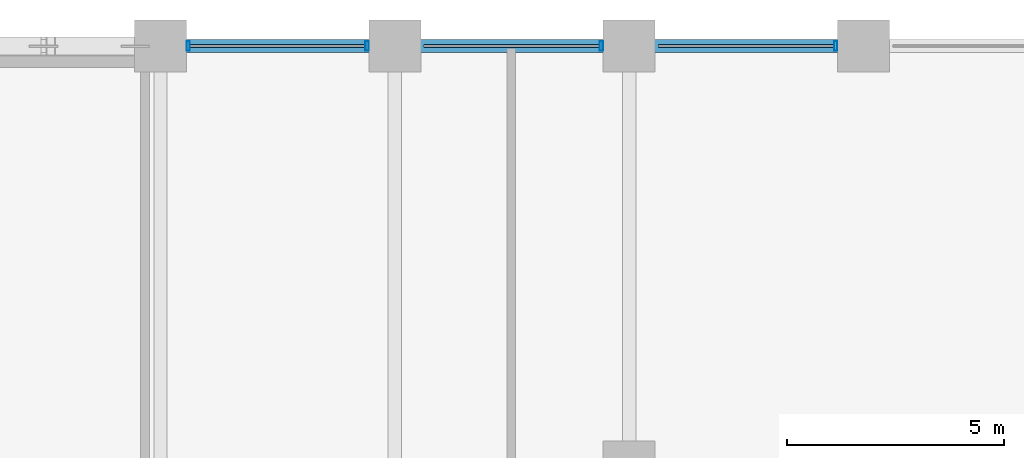
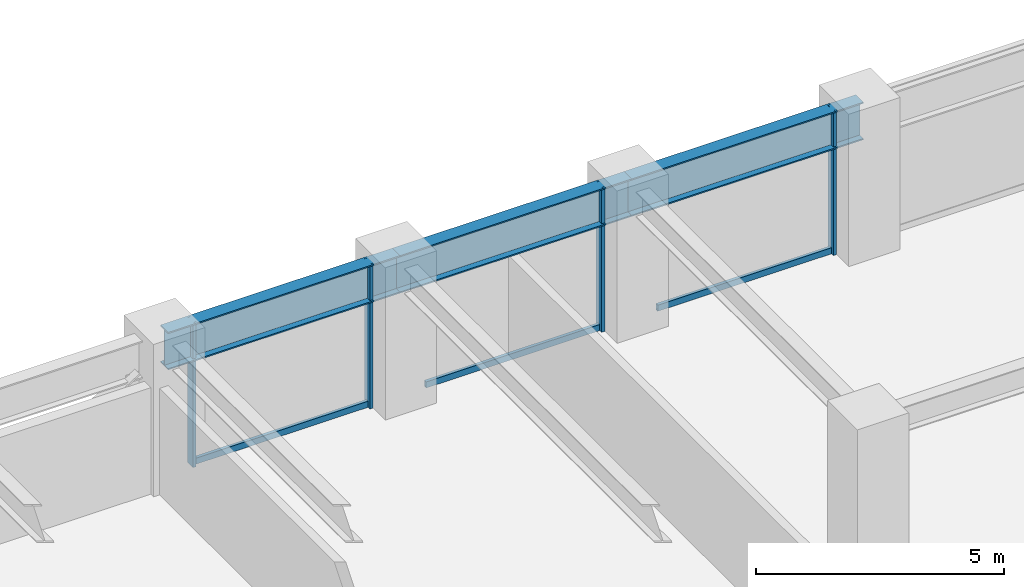
# One storey, part 15 of 27: 7 members, 3 beams, 1 element without a shape of its own.
"""IFC4 building model written with IfcOpenShell, lengths in metres."""

from ifc_helpers import new_model, si_unit, direction, frame, origin, origin_2d, place, context, subcontext, project, spatial, hollow_rectangle, i_section, extrude, material, layer, layer_set, material_profile, profile_set, type_object, element, aggregate, save


model = new_model("IFC4")

# Units and contexts
model_context = context("Model", 3, precision=1e-05, world=origin(), true_north=direction((0.0, 1.0)))
body_context = subcontext(model_context, "Body", "Model", "MODEL_VIEW")
ifc_project = project(units=[si_unit("LENGTHUNIT", "METRE"), si_unit("AREAUNIT", "SQUARE_METRE"), si_unit("VOLUMEUNIT", "CUBIC_METRE"), si_unit("PLANEANGLEUNIT", "RADIAN"), si_unit("MASSUNIT", "GRAM", prefix="KILO")], contexts=[model_context])

# Site, building, storey
site_placement = place(None, origin())
site = spatial("IfcSite", under=ifc_project, at=site_placement, CompositionType="ELEMENT")
building_placement = place(site_placement, origin())
building = spatial("IfcBuilding", under=site, at=building_placement, Name="Surkhivell Harbour Commons", CompositionType="ELEMENT")
storey_placement = place(building_placement, frame((0.0, 0.0, 56.25)))
storey = spatial("IfcBuildingStorey", under=building, at=storey_placement, Name="L14", CompositionType="ELEMENT", Elevation=56.25)

# Beams
ifc_material_1 = material(Name="Steel S460", Category="steel")
ifc_material_profile_1 = material_profile(ifc_material_1, i_section(OverallWidth=0.30810546875, OverallDepth=0.927001953125, WebThickness=0.01953125, FlangeThickness=0.031982421875, at=origin_2d()), Name="UB914x305x289")
ifc_profile_set_1 = profile_set([ifc_material_profile_1], Name="Steel S460")
beam_type = type_object("IfcBeamType", Name="BM-SPN-914B", PredefinedType="SPANDREL", material=ifc_profile_set_1)
beam_1_placement = place(storey_placement, frame((5.39990234375, 25.89990234375, 3.1064453125), z_axis=(1.0, 0.0, 0.0), x_axis=(0.0, 1.0, 0.0)))
element("IfcBeam", 1, at=beam_1_placement, inside=storey, type_object=beam_type, Name="L14 Tube Spandrel (5.4,25.9)", PredefinedType="SPANDREL", context=body_context, shape_type="SweptSolid", body=[
    extrude(i_section(OverallWidth=0.30810546875, OverallDepth=0.927001953125, WebThickness=0.01953125, FlangeThickness=0.031982421875, at=origin_2d()), origin(), (0.0, 0.0, 1.0), 5.400146484375),
])
beam_2_placement = place(storey_placement, frame((10.800048828125, 25.89990234375, 3.1064453125), z_axis=(1.0, 0.0, 0.0), x_axis=(0.0, 1.0, 0.0)))
element("IfcBeam", 2, at=beam_2_placement, inside=storey, type_object=beam_type, Name="L14 Tube Spandrel (10.8,25.9)", PredefinedType="SPANDREL", context=body_context, shape_type="SweptSolid", body=[
    extrude(i_section(OverallWidth=0.30810546875, OverallDepth=0.927001953125, WebThickness=0.01953125, FlangeThickness=0.031982421875, at=origin_2d()), origin(), (0.0, 0.0, 1.0), 5.39990234375),
])
beam_3_placement = place(storey_placement, frame((16.199951171875, 25.89990234375, 3.1064453125), z_axis=(1.0, 0.0, 0.0), x_axis=(0.0, 1.0, 0.0)))
element("IfcBeam", 3, at=beam_3_placement, inside=storey, type_object=beam_type, Name="L14 Tube Spandrel (16.2,25.9)", PredefinedType="SPANDREL", context=body_context, shape_type="SweptSolid", body=[
    extrude(i_section(OverallWidth=0.30810546875, OverallDepth=0.927001953125, WebThickness=0.01953125, FlangeThickness=0.031982421875, at=origin_2d()), origin(), (0.0, 0.0, 1.0), 5.400146484375),
])

# Curtain wall, members
ifc_material_2 = material(Name="Anodised pale-metal aluminium and insulated glazing", Category="aluminium")
ifc_layer = layer(ifc_material_2, 0.219970703125)
ifc_layer_set = layer_set([ifc_layer], Name="Anodised pale-metal aluminium and insulated glazing")
curtain_wall_type = type_object("IfcCurtainWallType", Name="CW-SYS-Z1", PredefinedType="NOTDEFINED", material=ifc_layer_set)
curtain_wall_placement = place(storey_placement, origin())
curtain_wall = element("IfcCurtainWall", 4, at=curtain_wall_placement, inside=storey, type_object=curtain_wall_type, Name="L14 Curtain Wall CW-L14-E07S1", PredefinedType="NOTDEFINED")
ifc_material_3 = material(Name="Anodised pale-metal aluminium alloy 6063-T6", Category="aluminium")
ifc_material_profile_2 = material_profile(ifc_material_3, hollow_rectangle(XDim=0.074951171875, YDim=0.219970703125, WallThickness=0.00390625, at=origin_2d()), Name="ALU-MULL-75x220")
ifc_profile_set_2 = profile_set([ifc_material_profile_2], Name="Anodised pale-metal aluminium alloy 6063-T6")
member_type_1 = type_object("IfcMemberType", Name="CWM-220", PredefinedType="MULLION", material=ifc_profile_set_2)
member_1_placement = place(storey_placement, frame((20.96044921875, 25.89990234375, 0.0), z_axis=(0.0, 0.0, 1.0), x_axis=(-1.0, 0.0, 0.0)))
member_1 = element("IfcMember", 5, at=member_1_placement, type_object=member_type_1, Name="CW-Z1 mullion 2", PredefinedType="MULLION", context=body_context, shape_type="SweptSolid", body=[
    extrude(hollow_rectangle(XDim=0.074951171875, YDim=0.219970703125, WallThickness=0.00390625, at=origin_2d()), origin(), (0.0, 0.0, 1.0), 3.570068359375),
])
member_2_placement = place(storey_placement, frame((15.560546875, 25.89990234375, 0.0), z_axis=(0.0, 0.0, 1.0), x_axis=(-1.0, 0.0, 0.0)))
member_2 = element("IfcMember", 6, at=member_2_placement, type_object=member_type_1, Name="CW-Z1 mullion 3", PredefinedType="MULLION", context=body_context, shape_type="SweptSolid", body=[
    extrude(hollow_rectangle(XDim=0.074951171875, YDim=0.219970703125, WallThickness=0.00390625, at=origin_2d()), origin(), (0.0, 0.0, 1.0), 3.570068359375),
])
member_3_placement = place(storey_placement, frame((10.160400390625, 25.89990234375, 0.0), z_axis=(0.0, 0.0, 1.0), x_axis=(-1.0, 0.0, 0.0)))
member_3 = element("IfcMember", 7, at=member_3_placement, type_object=member_type_1, Name="CW-Z1 mullion 4", PredefinedType="MULLION", context=body_context, shape_type="SweptSolid", body=[
    extrude(hollow_rectangle(XDim=0.074951171875, YDim=0.219970703125, WallThickness=0.00390625, at=origin_2d()), origin(), (0.0, 0.0, 1.0), 3.570068359375),
])
member_4_placement = place(storey_placement, frame((6.03955078125, 25.89990234375, 0.0), z_axis=(0.0, 0.0, 1.0), x_axis=(-1.0, 0.0, 0.0)))
member_4 = element("IfcMember", 8, at=member_4_placement, type_object=member_type_1, Name="CW-Z1 mullion 5", PredefinedType="MULLION", context=body_context, shape_type="SweptSolid", body=[
    extrude(hollow_rectangle(XDim=0.074951171875, YDim=0.219970703125, WallThickness=0.00390625, at=origin_2d()), origin(), (0.0, 0.0, 1.0), 3.570068359375),
])
ifc_material_profile_3 = material_profile(ifc_material_3, hollow_rectangle(XDim=0.074951171875, YDim=0.14990234375, WallThickness=0.00341796875, at=origin_2d()), Name="ALU-TRAN-75x150")
ifc_profile_set_3 = profile_set([ifc_material_profile_3], Name="Anodised pale-metal aluminium alloy 6063-T6")
member_type_2 = type_object("IfcMemberType", Name="CWT-150", PredefinedType="USERDEFINED", material=ifc_profile_set_3)
member_5_placement = place(storey_placement, frame((20.923095703125, 25.89990234375, 0.074951171875), z_axis=(-1.0, 0.0, 0.0), x_axis=(0.0, -1.0, 0.0)))
member_5 = element("IfcMember", 9, at=member_5_placement, type_object=member_type_2, Name="CW-Z1 transom 2.1", ObjectType="TRANSOM", PredefinedType="USERDEFINED", context=body_context, shape_type="SweptSolid", body=[
    extrude(hollow_rectangle(XDim=0.074951171875, YDim=0.14990234375, WallThickness=0.00341796875, at=origin_2d()), origin(), (0.0, 0.0, 1.0), 4.046142578125),
])
member_6_placement = place(storey_placement, frame((15.52294921875, 25.89990234375, 0.074951171875), z_axis=(-1.0, 0.0, 0.0), x_axis=(0.0, -1.0, 0.0)))
member_6 = element("IfcMember", 10, at=member_6_placement, type_object=member_type_2, Name="CW-Z1 transom 3.1", ObjectType="TRANSOM", PredefinedType="USERDEFINED", context=body_context, shape_type="SweptSolid", body=[
    extrude(hollow_rectangle(XDim=0.074951171875, YDim=0.14990234375, WallThickness=0.00341796875, at=origin_2d()), origin(), (0.0, 0.0, 1.0), 4.0458984375),
])
member_7_placement = place(storey_placement, frame((10.123046875, 25.89990234375, 0.074951171875), z_axis=(-1.0, 0.0, 0.0), x_axis=(0.0, -1.0, 0.0)))
member_7 = element("IfcMember", 11, at=member_7_placement, type_object=member_type_2, Name="CW-Z1 transom 4.1", ObjectType="TRANSOM", PredefinedType="USERDEFINED", context=body_context, shape_type="SweptSolid", body=[
    extrude(hollow_rectangle(XDim=0.074951171875, YDim=0.14990234375, WallThickness=0.00341796875, at=origin_2d()), origin(), (0.0, 0.0, 1.0), 4.046142578125),
])
aggregate(curtain_wall, [member_1, member_5, member_2, member_6, member_3, member_4, member_7])

save(model, "model.ifc")
